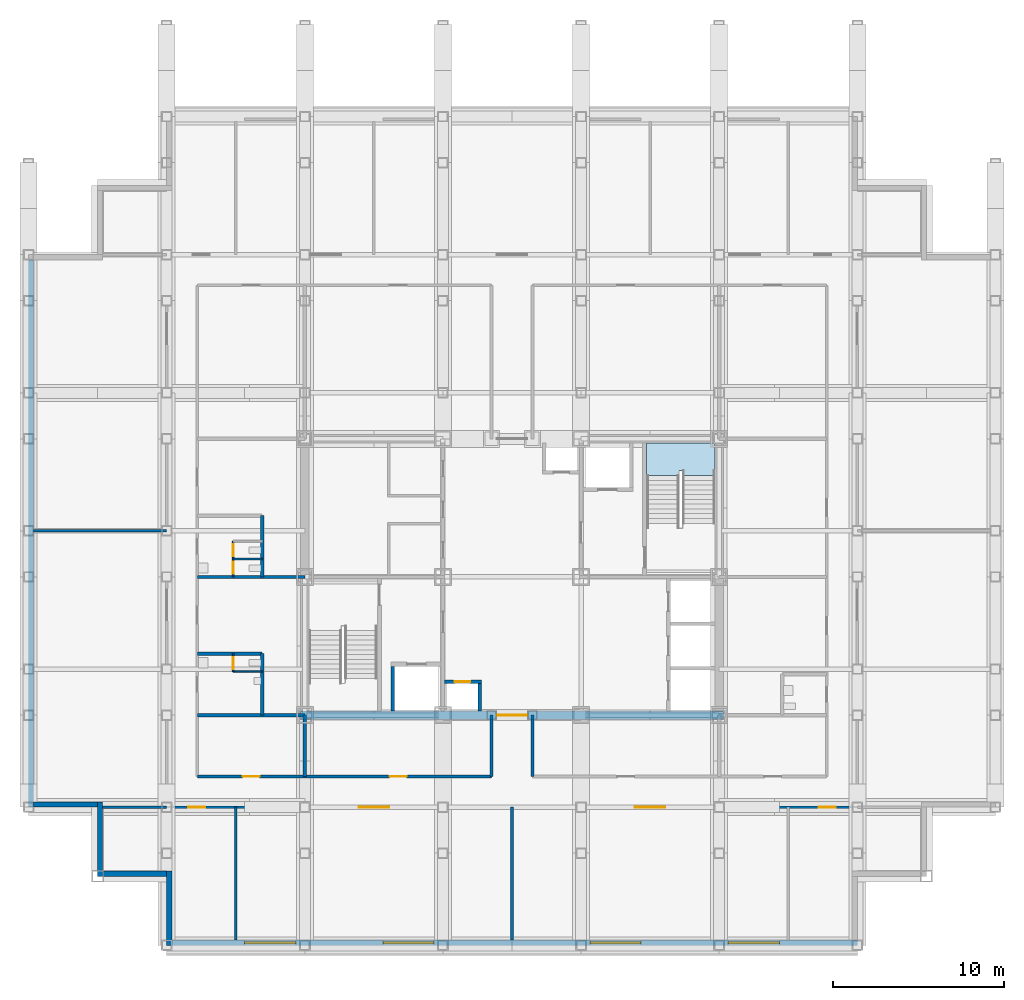
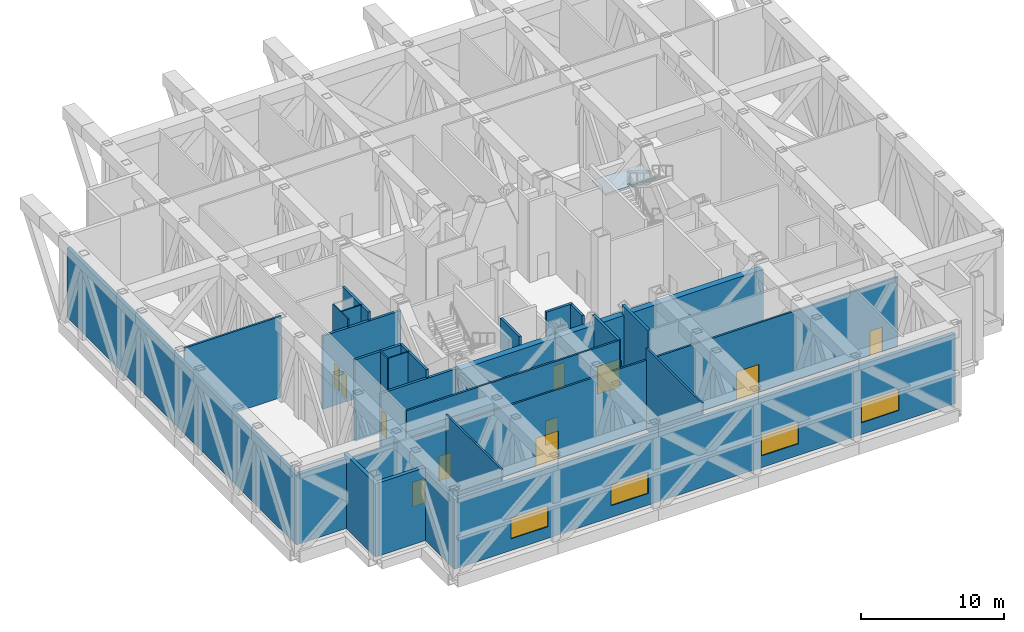
# One storey, part 7 of 13: 28 walls, 11 doors, 4 windows, 1 slab, 15 openings, 1 element without a shape of its own.
"""IFC4 building model written with IfcOpenShell, lengths in metres."""

import ifcopenshell
import ifcopenshell.guid

model = None  # the IFC model being written
_history = None  # IfcOwnerHistory: only IFC2X3 demands one
_inside = {}  # id of a spatial element -> (the spatial element, [elements in it])
_under = {}  # id of a project, library or spatial element -> (it, [spatial elements below it])
_declared = {}  # id of a project -> (the project, [libraries it declares])
_typed = {}  # id of a type object -> (the type object, [elements of that type])
_made_of = {}  # id of a material, layer set ... -> (it, [elements and type objects made of it])


def new_model(schema):
    """Start an empty IFC model of exactly this schema.

    Asked for "IFC4X3", IfcOpenShell would pick the latest addendum, in which some entities
    have other attributes; the version numbers below select the first issue.
    IFC2X3 requires an IfcOwnerHistory on every rooted entity: one is made here for all.
    """
    global model, _history
    if schema == "IFC4X3":
        model = ifcopenshell.file(schema_version=(4, 3, 0, 0))
    else:
        model = ifcopenshell.file(schema=schema)
    _inside.clear()
    _under.clear()
    _declared.clear()
    _typed.clear()
    _made_of.clear()
    _history = None
    if model.schema == "IFC2X3":
        org = make("IfcOrganization", Name="unknown")
        user = make(
            "IfcPersonAndOrganization",
            ThePerson=make("IfcPerson", FamilyName="unknown"),
            TheOrganization=org,
        )
        app = make(
            "IfcApplication",
            ApplicationDeveloper=org,
            Version="unknown",
            ApplicationFullName="unknown",
            ApplicationIdentifier="unknown",
        )
        _history = make(
            "IfcOwnerHistory",
            OwningUser=user,
            OwningApplication=app,
            ChangeAction="ADDED",
            CreationDate=0,
        )
    return model


def make(cls, **values):
    """One entity of the class cls with the attributes given. An attribute that is None is left unset."""
    return model.create_entity(
        cls, **{name: value for name, value in values.items() if value is not None}
    )


def rooted(cls, **values):
    """An entity with a GlobalId (a new one), such as an element, a storey or a relation."""
    return make(cls, GlobalId=ifcopenshell.guid.new(), OwnerHistory=_history, **values)


def si_unit(unit_type, name, prefix=None):
    """IfcSIUnit, for example si_unit("LENGTHUNIT", "METRE", prefix="MILLI")."""
    return make("IfcSIUnit", UnitType=unit_type, Prefix=prefix, Name=name)


def assignment(units):
    """IfcUnitAssignment: the units of a project."""
    return None if units is None else make("IfcUnitAssignment", Units=units)


def point(xyz):
    """IfcCartesianPoint."""
    return None if xyz is None else make("IfcCartesianPoint", Coordinates=xyz)


def direction(xyz):
    """IfcDirection."""
    return None if xyz is None else make("IfcDirection", DirectionRatios=xyz)


def frame(location, z_axis=None, x_axis=None):
    """IfcAxis2Placement3D, a coordinate frame: its origin and axes. An axis left out is left unset."""
    return make(
        "IfcAxis2Placement3D",
        Location=point(location),
        Axis=direction(z_axis),
        RefDirection=direction(x_axis),
    )


def frame_2d(location, x_axis=None):
    """IfcAxis2Placement2D, a coordinate frame in the plane: its origin and x axis."""
    return make(
        "IfcAxis2Placement2D", Location=point(location), RefDirection=direction(x_axis)
    )


def origin():
    """The frame at (0, 0, 0) with its axes left unset."""
    return frame((0.0, 0.0, 0.0))


def place(relative_to, where):
    """IfcLocalPlacement: puts the frame where relative to a parent placement (None: the world)."""
    return make(
        "IfcLocalPlacement", PlacementRelTo=relative_to, RelativePlacement=where
    )


def context(
    kind, dimensions, precision=None, world=None, true_north=None, identifier=None
):
    """IfcGeometricRepresentationContext, for example the 3D "Model" context."""
    return make(
        "IfcGeometricRepresentationContext",
        ContextIdentifier=identifier,
        ContextType=kind,
        CoordinateSpaceDimension=dimensions,
        Precision=precision,
        WorldCoordinateSystem=world,
        TrueNorth=true_north,
    )


def subcontext(parent, identifier, kind, view, scale=None):
    """IfcGeometricRepresentationSubContext, for example "Body" below "Model"."""
    return make(
        "IfcGeometricRepresentationSubContext",
        ContextIdentifier=identifier,
        ContextType=kind,
        ParentContext=parent,
        TargetScale=scale,
        TargetView=view,
    )


def project(units=None, contexts=None):
    """IfcProject with its units and contexts."""
    return rooted(
        "IfcProject",
        Name="project",
        RepresentationContexts=contexts,
        UnitsInContext=assignment(units),
    )


def spatial(cls, under=None, at=None, **own):
    """A site, building, storey or space (cls), placed at a placement, below another one or the project."""
    s = rooted(cls, ObjectPlacement=at, **own)
    if under is not None:
        _under.setdefault(under.id(), (under, []))[1].append(s)
    return s


def polyline(points):
    """IfcPolyline through the points."""
    return make("IfcPolyline", Points=[point(p) for p in points])


def profile(cls, at=None, kind="AREA", **sizes):
    """A parametric profile (cls). Its sizes go by their IFC names, for example OverallWidth=200.0."""
    return make(cls, ProfileType=kind, Position=at, **sizes)


def rectangle(**sizes):
    """IfcRectangleProfileDef."""
    return profile("IfcRectangleProfileDef", **sizes)


def outline(outer, holes=None, kind="AREA"):
    """IfcArbitraryClosedProfileDef: a profile drawn as a closed curve; with holes, ...WithVoids."""
    if holes is None:
        return make("IfcArbitraryClosedProfileDef", ProfileType=kind, OuterCurve=outer)
    return make(
        "IfcArbitraryProfileDefWithVoids",
        ProfileType=kind,
        OuterCurve=outer,
        InnerCurves=holes,
    )


def extrude(swept, where, along, depth):
    """IfcExtrudedAreaSolid: the profile swept, set in the frame where, extruded along a direction by depth."""
    return make(
        "IfcExtrudedAreaSolid",
        SweptArea=swept,
        Position=where,
        ExtrudedDirection=direction(along),
        Depth=depth,
    )


def shape(context_of_items, identifier, shape_type, items):
    """IfcShapeRepresentation: the items that make up one representation, for example the "Body"."""
    return make(
        "IfcShapeRepresentation",
        ContextOfItems=context_of_items,
        RepresentationIdentifier=identifier,
        RepresentationType=shape_type,
        Items=items,
    )


def material(Name=None, Category=None):
    """IfcMaterial."""
    return make("IfcMaterial", Name=Name, Category=Category)


def layer(
    of_material, thickness, ventilated=None, Name=None, Category=None, Priority=None
):
    """IfcMaterialLayer: one layer of a wall or slab, of a material (None: an air gap)."""
    return make(
        "IfcMaterialLayer",
        Material=of_material,
        LayerThickness=thickness,
        IsVentilated=ventilated,
        Name=Name,
        Category=Category,
        Priority=Priority,
    )


def layer_set(layers, Name=None):
    """IfcMaterialLayerSet."""
    return make("IfcMaterialLayerSet", MaterialLayers=layers, LayerSetName=Name)


def made_of(thing, what):
    """Note that an element or type object is made of a material, layer set ...; save() writes the relation."""
    if what is not None:
        _made_of.setdefault(what.id(), (what, []))[1].append(thing)
    return thing


def type_object(cls, material=None, **own):
    """A type object (cls), such as IfcWallType, which elements share."""
    return made_of(rooted(cls, **own), material)


def element(
    cls,
    number,
    at=None,
    inside=None,
    cuts=None,
    type_object=None,
    material=None,
    context=None,
    identifier="Body",
    shape_type=None,
    held_by="IfcProductDefinitionShape",
    body=None,
    shapes=None,
    **own,
):
    """One element of the class cls, such as IfcWall. Its Tag is "e" and its number.

    at: its placement. inside: the storey or other place that contains it. cuts: it is an
    opening in that element (IfcRelVoidsElement). A single representation is given by context,
    identifier, shape_type and body (its items); several are given by shapes. held_by: the class
    of the entity that holds the representations. save() writes the other relations.
    """
    e = rooted(cls, Tag="e%d" % number, ObjectPlacement=at, **own)
    if body is not None:
        shapes = [shape(context, identifier, shape_type, body)]
    if shapes is not None:
        e.Representation = make(held_by, Representations=shapes)
    if inside is not None:
        _inside.setdefault(inside.id(), (inside, []))[1].append(e)
    if cuts is not None:
        rooted(
            "IfcRelVoidsElement", RelatingBuildingElement=cuts, RelatedOpeningElement=e
        )
    if type_object is not None:
        _typed.setdefault(type_object.id(), (type_object, []))[1].append(e)
    return made_of(e, material)


def fill(opening, filler):
    """IfcRelFillsElement: the door or window that sits in an opening."""
    return rooted(
        "IfcRelFillsElement",
        RelatingOpeningElement=opening,
        RelatedBuildingElement=filler,
    )


def aggregate(whole, parts):
    """IfcRelAggregates: a whole, such as a stair, and the parts it consists of."""
    return rooted("IfcRelAggregates", RelatingObject=whole, RelatedObjects=parts)


def save(model, path):
    """Write the relations noted so far, then the file.

    IfcRelAggregates (storeys below a building ...), IfcRelContainedInSpatialStructure (elements
    in a storey), IfcRelDefinesByType, IfcRelAssociatesMaterial and IfcRelDeclares: one each for
    every whole, place, type object, material and project.
    """
    for whole, parts in _under.values():
        aggregate(whole, parts)
    for where, things in _inside.values():
        rooted(
            "IfcRelContainedInSpatialStructure",
            RelatedElements=things,
            RelatingStructure=where,
        )
    for kind, things in _typed.values():
        rooted("IfcRelDefinesByType", RelatedObjects=things, RelatingType=kind)
    for what, things in _made_of.values():
        rooted("IfcRelAssociatesMaterial", RelatedObjects=things, RelatingMaterial=what)
    for by, libraries in _declared.values():
        rooted("IfcRelDeclares", RelatingContext=by, RelatedDefinitions=libraries)
    model.write(path)


model = new_model("IFC4")

# Units and contexts
model_context = context("Model", 3, precision=1e-05, world=origin(), true_north=direction((0.0, 1.0)))
body_context = subcontext(model_context, "Body", "Model", "MODEL_VIEW")
ifc_project = project(units=[si_unit("LENGTHUNIT", "METRE"), si_unit("AREAUNIT", "SQUARE_METRE"), si_unit("VOLUMEUNIT", "CUBIC_METRE"), si_unit("PLANEANGLEUNIT", "RADIAN"), si_unit("MASSUNIT", "GRAM", prefix="KILO")], contexts=[model_context])

# Site, building, storey
site_placement = place(None, origin())
site = spatial("IfcSite", under=ifc_project, at=site_placement, CompositionType="ELEMENT")
building_placement = place(site_placement, origin())
building = spatial("IfcBuilding", under=site, at=building_placement, Name="Kopane Lantern Tower", CompositionType="ELEMENT")
storey_placement = place(building_placement, frame((0.0, 0.0, 235.199951171875)))
storey = spatial("IfcBuildingStorey", under=building, at=storey_placement, Name="L61", CompositionType="ELEMENT", Elevation=235.199951171875)

# Stair, slab
ifc_material_1 = material(Name="Steel S355JR", Category="steel")
stair_type = type_object("IfcStairType", Name="EXIT STAIR 1900 HALF TURN", PredefinedType="HALF_TURN_STAIR", material=ifc_material_1)
stair_placement = place(storey_placement, origin())
stair = element("IfcStair", 1, at=stair_placement, inside=storey, type_object=stair_type, Name="Exit stair ST2 L61", PredefinedType="HALF_TURN_STAIR")
ifc_material_2 = material(Name="Concrete C40/50", Category="concrete")
ifc_layer_1 = layer(ifc_material_2, 0.199951171875)
ifc_layer_set_1 = layer_set([ifc_layer_1], Name="STAIR LANDING 200")
slab_type = type_object("IfcSlabType", Name="STAIR LANDING 200", PredefinedType="LANDING", material=ifc_layer_set_1)
slab_placement = place(storey_placement, frame((0.0, 0.0, 5.32568359375)))
slab = element("IfcSlab", 2, at=slab_placement, type_object=slab_type, Name="ST2 landing 4", PredefinedType="LANDING", context=body_context, shape_type="SweptSolid", body=[
    extrude(outline(polyline([(38.14990234375, 38.6298828125), (38.35009765625, 38.6298828125), (38.35009765625, 38.35009765625), (40.25, 38.35009765625), (40.25, 40.25), (36.25, 40.25), (36.25, 38.35009765625), (38.14990234375, 38.35009765625), (38.14990234375, 38.6298828125)])), origin(), (0.0, 0.0, 1.0), 0.199951171875),
])
aggregate(stair, [slab])

# Wall, opening, door
ifc_material_3 = material(Name="Moisture-resistant board on steel studs", Category="steel")
ifc_layer_2 = layer(ifc_material_3, 0.10009765625)
ifc_layer_set_2 = layer_set([ifc_layer_2], Name="BATHROOM WALL 100")
wall_type_1 = type_object("IfcWallType", Name="BATHROOM WALL 100", PredefinedType="PARTITIONING", material=ifc_layer_set_2)
wall_1_placement = place(storey_placement, frame((12.0, 26.85009765625, 0.0), z_axis=(0.0, 0.0, 1.0), x_axis=(0.0, 1.0, 0.0)))
wall_1 = element("IfcWall", 3, at=wall_1_placement, inside=storey, type_object=wall_type_1, Name="Bathroom Wall 100 L61", PredefinedType="PARTITIONING", context=body_context, shape_type="SweptSolid", body=[
    extrude(rectangle(XDim=1.0498046875, YDim=0.10009765625, at=frame_2d((0.52490234375, 0.0))), origin(), (0.0, 0.0, 1.0), 6.949951171875),
])
opening_1_placement = place(wall_1_placement, frame((0.14990234375, 0.0, 0.0)))
opening_1 = element("IfcOpeningElement", 4, at=opening_1_placement, cuts=wall_1, Name="Opening L61-029", PredefinedType="OPENING", context=body_context, shape_type="SweptSolid", body=[
    extrude(rectangle(XDim=0.699951171875, YDim=2.0, at=frame_2d((0.35009765625, 1.0))), frame((0.0, 0.06005859375, 0.0), z_axis=(0.0, -1.0, 0.0), x_axis=(1.0, 0.0, 0.0)), (0.0, 0.0, 1.0), 0.1201171875),
])
ifc_material_4 = material(Name="Timber door set", Category="wood")
door_type_1 = type_object("IfcDoorType", Name="DOOR D13 700x2000 WC CUBICLE", OperationType="SINGLE_SWING_LEFT", PredefinedType="DOOR", material=ifc_material_4)
door_1_placement = place(opening_1_placement, origin())
door_1 = element("IfcDoor", 5, at=door_1_placement, inside=storey, type_object=door_type_1, Name="Door L61-029", OperationType="SINGLE_SWING_LEFT", OverallHeight=2.0, OverallWidth=0.699951171875, PredefinedType="DOOR", context=body_context, shape_type="SweptSolid", body=[
    extrude(rectangle(XDim=0.699951171875, YDim=2.0, at=frame_2d((0.35009765625, 1.0))), frame((0.0, 0.02490234375, 0.0), z_axis=(0.0, -1.0, 0.0), x_axis=(1.0, 0.0, 0.0)), (0.0, 0.0, 1.0), 0.050048828125),
])
fill(opening_1, door_1)

# Wall
wall_2_placement = place(storey_placement, frame((12.0, 26.85009765625, 0.0), z_axis=(0.0, 0.0, 1.0), x_axis=(1.0, 0.0, 0.0)))
element("IfcWall", 6, at=wall_2_placement, inside=storey, type_object=wall_type_1, Name="Bathroom Wall 100 L61", PredefinedType="PARTITIONING", context=body_context, shape_type="SweptSolid", body=[
    extrude(rectangle(XDim=1.699951171875, YDim=0.10009765625, at=frame_2d((0.85009765625, 0.0))), origin(), (0.0, 0.0, 1.0), 6.949951171875),
])

# Wall, openings, doors
wall_3_placement = place(storey_placement, frame((12.0, 32.39990234375, 0.0), z_axis=(0.0, 0.0, 1.0), x_axis=(0.0, 1.0, 0.0)))
wall_3 = element("IfcWall", 7, at=wall_3_placement, inside=storey, type_object=wall_type_1, Name="Bathroom Wall 100 L61", PredefinedType="PARTITIONING", context=body_context, shape_type="SweptSolid", body=[
    extrude(rectangle(XDim=2.10009765625, YDim=0.10009765625, at=frame_2d((1.050048828125, 0.0))), origin(), (0.0, 0.0, 1.0), 6.949951171875),
])
opening_2_placement = place(wall_3_placement, frame((0.199951171875, 0.0, 0.0)))
opening_2 = element("IfcOpeningElement", 8, at=opening_2_placement, cuts=wall_3, Name="Opening L61-030", PredefinedType="OPENING", context=body_context, shape_type="SweptSolid", body=[
    extrude(rectangle(XDim=0.699951171875, YDim=2.0, at=frame_2d((0.35009765625, 1.0))), frame((0.0, 0.06005859375, 0.0), z_axis=(0.0, -1.0, 0.0), x_axis=(1.0, 0.0, 0.0)), (0.0, 0.0, 1.0), 0.1201171875),
])
opening_3_placement = place(wall_3_placement, frame((1.22509765625, 0.0, 0.0)))
opening_3 = element("IfcOpeningElement", 9, at=opening_3_placement, cuts=wall_3, Name="Opening L61-031", PredefinedType="OPENING", context=body_context, shape_type="SweptSolid", body=[
    extrude(rectangle(XDim=0.699951171875, YDim=2.0, at=frame_2d((0.35009765625, 1.0))), frame((0.0, 0.06005859375, 0.0), z_axis=(0.0, -1.0, 0.0), x_axis=(1.0, 0.0, 0.0)), (0.0, 0.0, 1.0), 0.1201171875),
])
door_2_placement = place(opening_2_placement, origin())
door_2 = element("IfcDoor", 10, at=door_2_placement, inside=storey, type_object=door_type_1, Name="Door L61-030", OperationType="SINGLE_SWING_LEFT", OverallHeight=2.0, OverallWidth=0.699951171875, PredefinedType="DOOR", context=body_context, shape_type="SweptSolid", body=[
    extrude(rectangle(XDim=0.699951171875, YDim=2.0, at=frame_2d((0.35009765625, 1.0))), frame((0.0, 0.02490234375, 0.0), z_axis=(0.0, -1.0, 0.0), x_axis=(1.0, 0.0, 0.0)), (0.0, 0.0, 1.0), 0.050048828125),
])
fill(opening_2, door_2)
door_3_placement = place(opening_3_placement, origin())
door_3 = element("IfcDoor", 11, at=door_3_placement, inside=storey, type_object=door_type_1, Name="Door L61-031", OperationType="SINGLE_SWING_RIGHT", OverallHeight=2.0, OverallWidth=0.699951171875, PredefinedType="DOOR", context=body_context, shape_type="SweptSolid", body=[
    extrude(rectangle(XDim=0.699951171875, YDim=2.0, at=frame_2d((0.35009765625, 1.0))), frame((0.0, 0.02490234375, 0.0), z_axis=(0.0, -1.0, 0.0), x_axis=(1.0, 0.0, 0.0)), (0.0, 0.0, 1.0), 0.050048828125),
])
fill(opening_3, door_3)

# Wall
wall_4_placement = place(storey_placement, frame((12.0, 33.449951171875, 0.0), z_axis=(0.0, 0.0, 1.0), x_axis=(1.0, 0.0, 0.0)))
element("IfcWall", 12, at=wall_4_placement, inside=storey, type_object=wall_type_1, Name="Bathroom Wall 100 L61", PredefinedType="PARTITIONING", context=body_context, shape_type="SweptSolid", body=[
    extrude(rectangle(XDim=1.699951171875, YDim=0.10009765625, at=frame_2d((0.85009765625, 0.0))), origin(), (0.0, 0.0, 1.0), 6.949951171875),
])

# Wall, opening, door
ifc_material_5 = material(Name="Gypsum shaft wall EI 120", Category="gypsum")
ifc_layer_3 = layer(ifc_material_5, 0.5)
ifc_layer_set_3 = layer_set([ifc_layer_3], Name="CORE PERIMETER WALL 500 EI 120")
wall_type_2 = type_object("IfcWallType", Name="CORE PERIMETER WALL 500 EI 120", PredefinedType="SOLIDWALL", material=ifc_layer_set_3)
wall_5_placement = place(storey_placement, frame((15.949951171875, 24.300048828125, 0.0), z_axis=(0.0, 0.0, 1.0), x_axis=(1.0, 0.0, 0.0)))
wall_5 = element("IfcWall", 13, at=wall_5_placement, inside=storey, type_object=wall_type_2, Name="Core shaft wall L61 PS", PredefinedType="SOLIDWALL", context=body_context, shape_type="SweptSolid", body=[
    extrude(rectangle(XDim=24.800048828125, YDim=0.5, at=frame_2d((12.39990234375, 0.0))), origin(), (0.0, 0.0, 1.0), 6.187744140625),
])
opening_4_placement = place(wall_5_placement, frame((11.5, 0.0, 0.0)))
opening_4 = element("IfcOpeningElement", 14, at=opening_4_placement, cuts=wall_5, Name="Opening 61.CE-S", PredefinedType="OPENING", context=body_context, shape_type="SweptSolid", body=[
    extrude(rectangle(XDim=1.800048828125, YDim=2.39990234375, at=frame_2d((0.89990234375, 1.199951171875))), frame((0.0, 0.260009765625, 0.0), z_axis=(0.0, -1.0, 0.0), x_axis=(1.0, 0.0, 0.0)), (0.0, 0.0, 1.0), 0.52001953125),
])
ifc_material_6 = material(Name="Steel door set", Category="steel")
door_type_2 = type_object("IfcDoorType", Name="CORE ENTRY DOOR 1800x2400 FD60S", OperationType="DOUBLE_DOOR_SINGLE_SWING", PredefinedType="DOOR", material=ifc_material_6)
door_4_placement = place(opening_4_placement, origin())
door_4 = element("IfcDoor", 15, at=door_4_placement, inside=storey, type_object=door_type_2, Name="Core entry door L61 south", OperationType="DOUBLE_DOOR_SINGLE_SWING", OverallHeight=2.39990234375, OverallWidth=1.800048828125, PredefinedType="DOOR", context=body_context, shape_type="SweptSolid", body=[
    extrude(rectangle(XDim=1.800048828125, YDim=2.39990234375, at=frame_2d((0.89990234375, 1.199951171875))), frame((0.0, 0.02490234375, 0.0), z_axis=(0.0, -1.0, 0.0), x_axis=(1.0, 0.0, 0.0)), (0.0, 0.0, 1.0), 0.050048828125),
])
fill(opening_4, door_4)

# Wall, openings, doors
ifc_material_7 = material(Name="Gypsum board on steel studs", Category="steel")
ifc_layer_4 = layer(ifc_material_7, 0.14990234375)
ifc_layer_set_4 = layer_set([ifc_layer_4], Name="CORRIDOR WALL 150 EI 60")
wall_type_3 = type_object("IfcWallType", Name="CORRIDOR WALL 150 EI 60", PredefinedType="PARTITIONING", material=ifc_layer_set_4)
wall_6_placement = place(storey_placement, frame((8.10009765625, 18.89990234375, 0.0), z_axis=(0.0, 0.0, 1.0), x_axis=(1.0, 0.0, 0.0)))
wall_6 = element("IfcWall", 16, at=wall_6_placement, inside=storey, type_object=wall_type_3, Name="Corridor Wall 150 Ei 60 L61", PredefinedType="PARTITIONING", context=body_context, shape_type="SweptSolid", body=[
    extrude(rectangle(XDim=40.5, YDim=0.14990234375, at=frame_2d((20.25, 0.0))), origin(), (0.0, 0.0, 1.0), 5.949951171875),
])
opening_5_placement = place(wall_6_placement, frame((11.25, 0.0, 0.0)))
opening_5 = element("IfcOpeningElement", 17, at=opening_5_placement, cuts=wall_6, Name="Opening L61-016", PredefinedType="OPENING", context=body_context, shape_type="SweptSolid", body=[
    extrude(rectangle(XDim=1.800048828125, YDim=2.39990234375, at=frame_2d((0.89990234375, 1.199951171875))), frame((0.0, 0.0849609375, 0.0), z_axis=(0.0, -1.0, 0.0), x_axis=(1.0, 0.0, 0.0)), (0.0, 0.0, 1.0), 0.169921875),
])
opening_6_placement = place(wall_6_placement, frame((27.449951171875, 0.0, 0.0)))
opening_6 = element("IfcOpeningElement", 18, at=opening_6_placement, cuts=wall_6, Name="Opening L61-017", PredefinedType="OPENING", context=body_context, shape_type="SweptSolid", body=[
    extrude(rectangle(XDim=1.800048828125, YDim=2.39990234375, at=frame_2d((0.89990234375, 1.199951171875))), frame((0.0, 0.0849609375, 0.0), z_axis=(0.0, -1.0, 0.0), x_axis=(1.0, 0.0, 0.0)), (0.0, 0.0, 1.0), 0.169921875),
])
opening_7_placement = place(wall_6_placement, frame((1.27490234375, 0.0, 0.0)))
opening_7 = element("IfcOpeningElement", 19, at=opening_7_placement, cuts=wall_6, Name="Opening L61-025", PredefinedType="OPENING", context=body_context, shape_type="SweptSolid", body=[
    extrude(rectangle(XDim=1.0, YDim=2.10009765625, at=frame_2d((0.5, 1.050048828125))), frame((0.0, 0.0849609375, 0.0), z_axis=(0.0, -1.0, 0.0), x_axis=(1.0, 0.0, 0.0)), (0.0, 0.0, 1.0), 0.169921875),
])
opening_8_placement = place(wall_6_placement, frame((38.22509765625, 0.0, 0.0)))
opening_8 = element("IfcOpeningElement", 20, at=opening_8_placement, cuts=wall_6, Name="Opening L61-026", PredefinedType="OPENING", context=body_context, shape_type="SweptSolid", body=[
    extrude(rectangle(XDim=1.0, YDim=2.10009765625, at=frame_2d((0.5, 1.050048828125))), frame((0.0, 0.0849609375, 0.0), z_axis=(0.0, -1.0, 0.0), x_axis=(1.0, 0.0, 0.0)), (0.0, 0.0, 1.0), 0.169921875),
])
ifc_material_8 = material(Name="Steel door set", Category="steel")
door_type_3 = type_object("IfcDoorType", Name="DOOR D5 1000x2100 FD60", OperationType="SINGLE_SWING_LEFT", PredefinedType="DOOR", material=ifc_material_8)
door_5_placement = place(opening_7_placement, origin())
door_5 = element("IfcDoor", 21, at=door_5_placement, inside=storey, type_object=door_type_3, Name="Door L61-025", OperationType="SINGLE_SWING_LEFT", OverallHeight=2.10009765625, OverallWidth=1.0, PredefinedType="DOOR", context=body_context, shape_type="SweptSolid", body=[
    extrude(rectangle(XDim=1.0, YDim=2.10009765625, at=frame_2d((0.5, 1.050048828125))), frame((0.0, 0.02490234375, 0.0), z_axis=(0.0, -1.0, 0.0), x_axis=(1.0, 0.0, 0.0)), (0.0, 0.0, 1.0), 0.050048828125),
])
fill(opening_7, door_5)
door_6_placement = place(opening_8_placement, origin())
door_6 = element("IfcDoor", 22, at=door_6_placement, inside=storey, type_object=door_type_3, Name="Door L61-026", OperationType="SINGLE_SWING_RIGHT", OverallHeight=2.10009765625, OverallWidth=1.0, PredefinedType="DOOR", context=body_context, shape_type="SweptSolid", body=[
    extrude(rectangle(XDim=1.0, YDim=2.10009765625, at=frame_2d((0.5, 1.050048828125))), frame((0.0, 0.02490234375, 0.0), z_axis=(0.0, -1.0, 0.0), x_axis=(1.0, 0.0, 0.0)), (0.0, 0.0, 1.0), 0.050048828125),
])
fill(opening_8, door_6)
ifc_material_9 = material(Name="Steel door set", Category="steel")
door_type_4 = type_object("IfcDoorType", Name="DOOR D6 1800x2400 FD30S", OperationType="SINGLE_SWING_LEFT", PredefinedType="DOOR", material=ifc_material_9)
door_7_placement = place(opening_5_placement, origin())
door_7 = element("IfcDoor", 23, at=door_7_placement, inside=storey, type_object=door_type_4, Name="Door L61-016", OperationType="DOUBLE_DOOR_SINGLE_SWING", OverallHeight=2.39990234375, OverallWidth=1.800048828125, PredefinedType="DOOR", context=body_context, shape_type="SweptSolid", body=[
    extrude(rectangle(XDim=1.800048828125, YDim=2.39990234375, at=frame_2d((0.89990234375, 1.199951171875))), frame((0.0, 0.02490234375, 0.0), z_axis=(0.0, -1.0, 0.0), x_axis=(1.0, 0.0, 0.0)), (0.0, 0.0, 1.0), 0.050048828125),
])
fill(opening_5, door_7)
ifc_material_10 = material(Name="Steel door set", Category="steel")
door_type_5 = type_object("IfcDoorType", Name="DOOR D8 1800x2400 FD120", OperationType="SINGLE_SWING_LEFT", PredefinedType="DOOR", material=ifc_material_10)
door_8_placement = place(opening_6_placement, origin())
door_8 = element("IfcDoor", 24, at=door_8_placement, inside=storey, type_object=door_type_5, Name="Door L61-017", OperationType="DOUBLE_DOOR_SINGLE_SWING", OverallHeight=2.39990234375, OverallWidth=1.800048828125, PredefinedType="DOOR", context=body_context, shape_type="SweptSolid", body=[
    extrude(rectangle(XDim=1.800048828125, YDim=2.39990234375, at=frame_2d((0.89990234375, 1.199951171875))), frame((0.0, 0.02490234375, 0.0), z_axis=(0.0, -1.0, 0.0), x_axis=(1.0, 0.0, 0.0)), (0.0, 0.0, 1.0), 0.050048828125),
])
fill(opening_6, door_8)

wall_7_placement = place(storey_placement, frame((9.89990234375, 20.699951171875, 0.0), z_axis=(0.0, 0.0, 1.0), x_axis=(1.0, 0.0, 0.0)))
wall_7 = element("IfcWall", 25, at=wall_7_placement, inside=storey, type_object=wall_type_3, Name="Corridor Wall 150 Ei 60 L61", PredefinedType="PARTITIONING", context=body_context, shape_type="SweptSolid", body=[
    extrude(rectangle(XDim=17.239990234375, YDim=0.14990234375, at=frame_2d((8.6201171875, 0.0))), origin(), (0.0, 0.0, 1.0), 6.949951171875),
])
opening_9_placement = place(wall_7_placement, frame((2.64990234375, 0.0, 0.0)))
opening_9 = element("IfcOpeningElement", 26, at=opening_9_placement, cuts=wall_7, Name="Opening L61-008", PredefinedType="OPENING", context=body_context, shape_type="SweptSolid", body=[
    extrude(rectangle(XDim=1.0, YDim=2.10009765625, at=frame_2d((0.5, 1.050048828125))), frame((0.0, 0.0849609375, 0.0), z_axis=(0.0, -1.0, 0.0), x_axis=(1.0, 0.0, 0.0)), (0.0, 0.0, 1.0), 0.169921875),
])
opening_10_placement = place(wall_7_placement, frame((11.27490234375, 0.0, 0.0)))
opening_10 = element("IfcOpeningElement", 27, at=opening_10_placement, cuts=wall_7, Name="Opening L61-009", PredefinedType="OPENING", context=body_context, shape_type="SweptSolid", body=[
    extrude(rectangle(XDim=1.0, YDim=2.10009765625, at=frame_2d((0.5, 1.050048828125))), frame((0.0, 0.0849609375, 0.0), z_axis=(0.0, -1.0, 0.0), x_axis=(1.0, 0.0, 0.0)), (0.0, 0.0, 1.0), 0.169921875),
])
door_9_placement = place(opening_9_placement, origin())
door_9 = element("IfcDoor", 28, at=door_9_placement, inside=storey, type_object=door_type_3, Name="Door L61-008", OperationType="SINGLE_SWING_LEFT", OverallHeight=2.10009765625, OverallWidth=1.0, PredefinedType="DOOR", context=body_context, shape_type="SweptSolid", body=[
    extrude(rectangle(XDim=1.0, YDim=2.10009765625, at=frame_2d((0.5, 1.050048828125))), frame((0.0, 0.02490234375, 0.0), z_axis=(0.0, -1.0, 0.0), x_axis=(1.0, 0.0, 0.0)), (0.0, 0.0, 1.0), 0.050048828125),
])
fill(opening_9, door_9)
door_10_placement = place(opening_10_placement, origin())
door_10 = element("IfcDoor", 29, at=door_10_placement, inside=storey, type_object=door_type_3, Name="Door L61-009", OperationType="SINGLE_SWING_RIGHT", OverallHeight=2.10009765625, OverallWidth=1.0, PredefinedType="DOOR", context=body_context, shape_type="SweptSolid", body=[
    extrude(rectangle(XDim=1.0, YDim=2.10009765625, at=frame_2d((0.5, 1.050048828125))), frame((0.0, 0.02490234375, 0.0), z_axis=(0.0, -1.0, 0.0), x_axis=(1.0, 0.0, 0.0)), (0.0, 0.0, 1.0), 0.050048828125),
])
fill(opening_10, door_10)

# Walls
ifc_material_11 = material(Name="Gypsum board on steel studs", Category="steel")
ifc_layer_5 = layer(ifc_material_11, 0.14990234375)
ifc_layer_set_5 = layer_set([ifc_layer_5], Name="DEMISING WALL 150 EI 60")
wall_type_4 = type_object("IfcWallType", Name="DEMISING WALL 150 EI 60", PredefinedType="PARTITIONING", material=ifc_layer_set_5)
wall_8_placement = place(storey_placement, frame((28.35009765625, 18.89990234375, 0.0), z_axis=(0.0, 0.0, 1.0), x_axis=(0.0, -1.0, 0.0)))
element("IfcWall", 30, at=wall_8_placement, inside=storey, type_object=wall_type_4, Name="Demising Wall 150 Ei 60 L61", PredefinedType="PARTITIONING", context=body_context, shape_type="SweptSolid", body=[
    extrude(rectangle(XDim=7.7998046875, YDim=0.14990234375, at=frame_2d((3.89990234375, 0.0))), origin(), (0.0, 0.0, 1.0), 6.949951171875),
])
wall_9_placement = place(storey_placement, frame((8.10009765625, 35.10009765625, 0.0), z_axis=(0.0, 0.0, 1.0), x_axis=(-1.0, 0.0, 0.0)))
element("IfcWall", 31, at=wall_9_placement, inside=storey, type_object=wall_type_4, Name="Demising Wall 150 Ei 60 L61", PredefinedType="PARTITIONING", context=body_context, shape_type="SweptSolid", body=[
    extrude(rectangle(XDim=7.800048828125, YDim=0.14990234375, at=frame_2d((3.89990234375, 0.0))), origin(), (0.0, 0.0, 1.0), 6.949951171875),
])
wall_10_placement = place(storey_placement, frame((4.35009765625, 18.89990234375, 0.0), z_axis=(0.0, 0.0, 1.0), x_axis=(1.0, 0.0, 0.0)))
element("IfcWall", 32, at=wall_10_placement, inside=storey, type_object=wall_type_4, Name="Demising Wall 150 Ei 60 L61", PredefinedType="PARTITIONING", context=body_context, shape_type="SweptSolid", body=[
    extrude(rectangle(XDim=3.75, YDim=0.14990234375, at=frame_2d((1.875, 0.0))), origin(), (0.0, 0.0, 1.0), 5.949951171875),
])
wall_11_placement = place(storey_placement, frame((12.14990234375, 18.89990234375, 0.0), z_axis=(0.0, 0.0, 1.0), x_axis=(0.0, -1.0, 0.0)))
element("IfcWall", 33, at=wall_11_placement, inside=storey, type_object=wall_type_4, Name="Demising Wall 150 Ei 60 L61", PredefinedType="PARTITIONING", context=body_context, shape_type="SweptSolid", body=[
    extrude(rectangle(XDim=7.7998046875, YDim=0.14990234375, at=frame_2d((3.89990234375, 0.0))), origin(), (0.0, 0.0, 1.0), 6.949951171875),
])

# Wall, openings, windows
ifc_material_12 = material(Name="Terracotta rainscreen on light steel framing", Category="masonry")
ifc_layer_6 = layer(ifc_material_12, 0.300048828125)
ifc_layer_set_6 = layer_set([ifc_layer_6], Name="EXTERNAL WALL EW1 300 TERRACOTTA")
wall_type_5 = type_object("IfcWallType", Name="EXTERNAL WALL EW1 300 TERRACOTTA", PredefinedType="SOLIDWALL", material=ifc_layer_set_6)
wall_12_placement = place(storey_placement, frame((8.39990234375, 10.949951171875, 0.0), z_axis=(0.0, 0.0, 1.0), x_axis=(1.0, 0.0, 0.0)))
wall_12 = element("IfcWall", 34, at=wall_12_placement, inside=storey, type_object=wall_type_5, Name="External wall S L61", PredefinedType="SOLIDWALL", context=body_context, shape_type="SweptSolid", body=[
    extrude(rectangle(XDim=40.2001953125, YDim=0.300048828125, at=frame_2d((20.10009765625, 0.0))), origin(), (0.0, 0.0, 1.0), 5.949951171875),
])
opening_11_placement = place(wall_12_placement, frame((4.27490234375, 0.0, 1.0)))
opening_11 = element("IfcOpeningElement", 35, at=opening_11_placement, cuts=wall_12, Name="Opening LV300180", PredefinedType="OPENING", context=body_context, shape_type="SweptSolid", body=[
    extrude(rectangle(XDim=3.0, YDim=1.800048828125, at=frame_2d((1.5, 0.89990234375))), frame((0.0, 0.159912109375, 0.0), z_axis=(0.0, -1.0, 0.0), x_axis=(1.0, 0.0, 0.0)), (0.0, 0.0, 1.0), 0.320068359375),
])
opening_12_placement = place(wall_12_placement, frame((12.375, 0.0, 1.0)))
opening_12 = element("IfcOpeningElement", 36, at=opening_12_placement, cuts=wall_12, Name="Opening LV300180", PredefinedType="OPENING", context=body_context, shape_type="SweptSolid", body=[
    extrude(rectangle(XDim=3.0, YDim=1.800048828125, at=frame_2d((1.5, 0.89990234375))), frame((0.0, 0.159912109375, 0.0), z_axis=(0.0, -1.0, 0.0), x_axis=(1.0, 0.0, 0.0)), (0.0, 0.0, 1.0), 0.320068359375),
])
opening_13_placement = place(wall_12_placement, frame((24.52490234375, 0.0, 1.0)))
opening_13 = element("IfcOpeningElement", 37, at=opening_13_placement, cuts=wall_12, Name="Opening LV300180", PredefinedType="OPENING", context=body_context, shape_type="SweptSolid", body=[
    extrude(rectangle(XDim=3.0, YDim=1.800048828125, at=frame_2d((1.5, 0.89990234375))), frame((0.0, 0.159912109375, 0.0), z_axis=(0.0, -1.0, 0.0), x_axis=(1.0, 0.0, 0.0)), (0.0, 0.0, 1.0), 0.320068359375),
])
opening_14_placement = place(wall_12_placement, frame((32.625, 0.0, 1.0)))
opening_14 = element("IfcOpeningElement", 38, at=opening_14_placement, cuts=wall_12, Name="Opening LV300180", PredefinedType="OPENING", context=body_context, shape_type="SweptSolid", body=[
    extrude(rectangle(XDim=3.0, YDim=1.800048828125, at=frame_2d((1.5, 0.89990234375))), frame((0.0, 0.159912109375, 0.0), z_axis=(0.0, -1.0, 0.0), x_axis=(1.0, 0.0, 0.0)), (0.0, 0.0, 1.0), 0.320068359375),
])
ifc_material_13 = material(Name="Aluminium louvre blades", Category="aluminium")
window_type = type_object("IfcWindowType", Name="PLANT LOUVRE LV300180 3000x1800x150", PartitioningType="SINGLE_PANEL", PredefinedType="USERDEFINED", material=ifc_material_13)
window_1_placement = place(opening_11_placement, origin())
window_1 = element("IfcWindow", 39, at=window_1_placement, inside=storey, type_object=window_type, Name="Louvre S L61", ObjectType="LOUVRE", OverallHeight=1.800048828125, OverallWidth=3.0, PartitioningType="SINGLE_PANEL", PredefinedType="USERDEFINED", context=body_context, shape_type="SweptSolid", body=[
    extrude(rectangle(XDim=3.0, YDim=1.800048828125, at=frame_2d((1.5, 0.89990234375))), frame((0.0, 0.074951171875, 0.0), z_axis=(0.0, -1.0, 0.0), x_axis=(1.0, 0.0, 0.0)), (0.0, 0.0, 1.0), 0.14990234375),
])
fill(opening_11, window_1)
window_2_placement = place(opening_12_placement, origin())
window_2 = element("IfcWindow", 40, at=window_2_placement, inside=storey, type_object=window_type, Name="Louvre S L61", ObjectType="LOUVRE", OverallHeight=1.800048828125, OverallWidth=3.0, PartitioningType="SINGLE_PANEL", PredefinedType="USERDEFINED", context=body_context, shape_type="SweptSolid", body=[
    extrude(rectangle(XDim=3.0, YDim=1.800048828125, at=frame_2d((1.5, 0.89990234375))), frame((0.0, 0.074951171875, 0.0), z_axis=(0.0, -1.0, 0.0), x_axis=(1.0, 0.0, 0.0)), (0.0, 0.0, 1.0), 0.14990234375),
])
fill(opening_12, window_2)
window_3_placement = place(opening_13_placement, origin())
window_3 = element("IfcWindow", 41, at=window_3_placement, inside=storey, type_object=window_type, Name="Louvre S L61", ObjectType="LOUVRE", OverallHeight=1.800048828125, OverallWidth=3.0, PartitioningType="SINGLE_PANEL", PredefinedType="USERDEFINED", context=body_context, shape_type="SweptSolid", body=[
    extrude(rectangle(XDim=3.0, YDim=1.800048828125, at=frame_2d((1.5, 0.89990234375))), frame((0.0, 0.074951171875, 0.0), z_axis=(0.0, -1.0, 0.0), x_axis=(1.0, 0.0, 0.0)), (0.0, 0.0, 1.0), 0.14990234375),
])
fill(opening_13, window_3)
window_4_placement = place(opening_14_placement, origin())
window_4 = element("IfcWindow", 42, at=window_4_placement, inside=storey, type_object=window_type, Name="Louvre S L61", ObjectType="LOUVRE", OverallHeight=1.800048828125, OverallWidth=3.0, PartitioningType="SINGLE_PANEL", PredefinedType="USERDEFINED", context=body_context, shape_type="SweptSolid", body=[
    extrude(rectangle(XDim=3.0, YDim=1.800048828125, at=frame_2d((1.5, 0.89990234375))), frame((0.0, 0.074951171875, 0.0), z_axis=(0.0, -1.0, 0.0), x_axis=(1.0, 0.0, 0.0)), (0.0, 0.0, 1.0), 0.14990234375),
])
fill(opening_14, window_4)

# Walls
wall_13_placement = place(storey_placement, frame((0.14990234375, 51.0, 0.0), z_axis=(0.0, 0.0, 1.0), x_axis=(0.0, -1.0, 0.0)))
element("IfcWall", 43, at=wall_13_placement, inside=storey, type_object=wall_type_5, Name="External wall W L61", PredefinedType="SOLIDWALL", context=body_context, shape_type="SweptSolid", body=[
    extrude(rectangle(XDim=32.10009765625, YDim=0.300048828125, at=frame_2d((16.050048828125, 0.0))), origin(), (0.0, 0.0, 1.0), 5.949951171875),
])
wall_14_placement = place(storey_placement, frame((0.300048828125, 19.050048828125, 0.0), z_axis=(0.0, 0.0, 1.0), x_axis=(1.0, 0.0, 0.0)))
element("IfcWall", 44, at=wall_14_placement, inside=storey, type_object=wall_type_5, Name="External wall S L61", PredefinedType="SOLIDWALL", context=body_context, shape_type="SweptSolid", body=[
    extrude(rectangle(XDim=3.75, YDim=0.300048828125, at=frame_2d((1.875, 0.0))), origin(), (0.0, 0.0, 1.0), 5.949951171875),
])
wall_15_placement = place(storey_placement, frame((4.199951171875, 19.199951171875, 0.0), z_axis=(0.0, 0.0, 1.0), x_axis=(0.0, -1.0, 0.0)))
element("IfcWall", 45, at=wall_15_placement, inside=storey, type_object=wall_type_5, Name="External wall W L61", PredefinedType="SOLIDWALL", context=body_context, shape_type="SweptSolid", body=[
    extrude(rectangle(XDim=4.349853515625, YDim=0.300048828125, at=frame_2d((2.1748046875, 0.0))), origin(), (0.0, 0.0, 1.0), 6.25),
])
wall_16_placement = place(storey_placement, frame((4.35009765625, 15.0, 0.0), z_axis=(0.0, 0.0, 1.0), x_axis=(1.0, 0.0, 0.0)))
element("IfcWall", 46, at=wall_16_placement, inside=storey, type_object=wall_type_5, Name="External wall S L61", PredefinedType="SOLIDWALL", context=body_context, shape_type="SweptSolid", body=[
    extrude(rectangle(XDim=3.75, YDim=0.300048828125, at=frame_2d((1.875, 0.0))), origin(), (0.0, 0.0, 1.0), 6.25),
])
wall_17_placement = place(storey_placement, frame((8.25, 15.14990234375, 0.0), z_axis=(0.0, 0.0, 1.0), x_axis=(0.0, -1.0, 0.0)))
element("IfcWall", 47, at=wall_17_placement, inside=storey, type_object=wall_type_5, Name="External wall W L61", PredefinedType="SOLIDWALL", context=body_context, shape_type="SweptSolid", body=[
    extrude(rectangle(XDim=4.349853515625, YDim=0.300048828125, at=frame_2d((2.1748046875, 0.0))), origin(), (0.0, 0.0, 1.0), 5.949951171875),
])
ifc_material_14 = material(Name="Concrete masonry", Category="masonry")
ifc_layer_7 = layer(ifc_material_14, 0.199951171875)
ifc_layer_set_7 = layer_set([ifc_layer_7], Name="PLANT ROOM WALL 200 EI 120")
wall_type_6 = type_object("IfcWallType", Name="PLANT ROOM WALL 200 EI 120", PredefinedType="SOLIDWALL", material=ifc_layer_set_7)
wall_18_placement = place(storey_placement, frame((9.89990234375, 32.39990234375, 0.0), z_axis=(0.0, 0.0, 1.0), x_axis=(1.0, 0.0, 0.0)))
element("IfcWall", 48, at=wall_18_placement, inside=storey, type_object=wall_type_6, Name="Plant Room Wall 200 Ei 120 L61", PredefinedType="SOLIDWALL", context=body_context, shape_type="SweptSolid", body=[
    extrude(rectangle(XDim=6.300048828125, YDim=0.199951171875, at=frame_2d((3.14990234375, 0.0))), origin(), (0.0, 0.0, 1.0), 6.25),
])
wall_19_placement = place(storey_placement, frame((9.89990234375, 27.89990234375, 0.0), z_axis=(0.0, 0.0, 1.0), x_axis=(1.0, 0.0, 0.0)))
element("IfcWall", 49, at=wall_19_placement, inside=storey, type_object=wall_type_6, Name="Plant Room Wall 200 Ei 120 L61", PredefinedType="SOLIDWALL", context=body_context, shape_type="SweptSolid", body=[
    extrude(rectangle(XDim=3.800048828125, YDim=0.199951171875, at=frame_2d((1.89990234375, 0.0))), origin(), (0.0, 0.0, 1.0), 6.949951171875),
])
wall_20_placement = place(storey_placement, frame((13.699951171875, 24.300048828125, 0.0), z_axis=(0.0, 0.0, 1.0), x_axis=(0.0, 1.0, 0.0)))
element("IfcWall", 50, at=wall_20_placement, inside=storey, type_object=wall_type_6, Name="Plant Room Wall 200 Ei 120 L61", PredefinedType="SOLIDWALL", context=body_context, shape_type="SweptSolid", body=[
    extrude(rectangle(XDim=3.599853515625, YDim=0.199951171875, at=frame_2d((1.7998046875, 0.0))), origin(), (0.0, 0.0, 1.0), 6.949951171875),
])
wall_21_placement = place(storey_placement, frame((13.699951171875, 32.39990234375, 0.0), z_axis=(0.0, 0.0, 1.0), x_axis=(0.0, 1.0, 0.0)))
element("IfcWall", 51, at=wall_21_placement, inside=storey, type_object=wall_type_6, Name="Plant Room Wall 200 Ei 120 L61", PredefinedType="SOLIDWALL", context=body_context, shape_type="SweptSolid", body=[
    extrude(rectangle(XDim=3.60009765625, YDim=0.199951171875, at=frame_2d((1.800048828125, 0.0))), origin(), (0.0, 0.0, 1.0), 6.949951171875),
])
wall_22_placement = place(storey_placement, frame((16.199951171875, 20.699951171875, 0.0), z_axis=(0.0, 0.0, 1.0), x_axis=(0.0, 1.0, 0.0)))
element("IfcWall", 52, at=wall_22_placement, inside=storey, type_object=wall_type_6, Name="Plant Room Wall 200 Ei 120 L61", PredefinedType="SOLIDWALL", context=body_context, shape_type="SweptSolid", body=[
    extrude(rectangle(XDim=3.60009765625, YDim=0.199951171875, at=frame_2d((1.800048828125, 0.0))), origin(), (0.0, 0.0, 1.0), 5.949951171875),
])
for number, where, z_axis, x_axis, name in (
    (53, (27.14990234375, 20.699951171875, 0.0), (0.0, 0.0, 1.0), (0.0, 1.0, 0.0), "Plant Room Wall 200 Ei 120 L61"),
    (54, (29.550048828125, 20.699951171875, 0.0), (0.0, 0.0, 1.0), (0.0, 1.0, 0.0), "Plant Room Wall 200 Ei 120 L61"),
):
    element("IfcWall", number, at=place(storey_placement, frame(where, z_axis=z_axis, x_axis=x_axis)), inside=storey, type_object=wall_type_6, Name=name, PredefinedType="SOLIDWALL", context=body_context, shape_type="SweptSolid", body=[
        extrude(rectangle(XDim=3.60009765625, YDim=0.199951171875, at=frame_2d((1.800048828125, 0.0))), origin(), (0.0, 0.0, 1.0), 6.949951171875),
    ])
wall_23_placement = place(storey_placement, frame((9.89990234375, 24.300048828125, 0.0), z_axis=(0.0, 0.0, 1.0), x_axis=(1.0, 0.0, 0.0)))
element("IfcWall", 55, at=wall_23_placement, inside=storey, type_object=wall_type_6, Name="Plant Room Wall 200 Ei 120 L61", PredefinedType="SOLIDWALL", context=body_context, shape_type="SweptSolid", body=[
    extrude(rectangle(XDim=6.300048828125, YDim=0.199951171875, at=frame_2d((3.14990234375, 0.0))), origin(), (0.0, 0.0, 1.0), 6.25),
])
ifc_material_15 = material(Name="Gypsum shaft wall EI 120", Category="gypsum")
ifc_layer_8 = layer(ifc_material_15, 0.199951171875)
ifc_layer_set_8 = layer_set([ifc_layer_8], Name="SHAFT WALL 200 EI 120")
wall_type_7 = type_object("IfcWallType", Name="SHAFT WALL 200 EI 120", PredefinedType="SOLIDWALL", material=ifc_layer_set_8)
wall_24_placement = place(storey_placement, frame((21.35009765625, 24.550048828125, 0.0), z_axis=(0.0, 0.0, 1.0), x_axis=(0.0, 1.0, 0.0)))
element("IfcWall", 56, at=wall_24_placement, inside=storey, type_object=wall_type_7, Name="Core shaft wall L61 XLF1", PredefinedType="SOLIDWALL", context=body_context, shape_type="SweptSolid", body=[
    extrude(rectangle(XDim=2.599853515625, YDim=0.199951171875, at=frame_2d((1.2998046875, 0.0))), origin(), (0.0, 0.0, 1.0), 6.949951171875),
])
wall_25_placement = place(storey_placement, frame((26.449951171875, 24.550048828125, 0.0), z_axis=(0.0, 0.0, 1.0), x_axis=(0.0, 1.0, 0.0)))
element("IfcWall", 57, at=wall_25_placement, inside=storey, type_object=wall_type_7, Name="Core shaft wall L61 XRS1", PredefinedType="SOLIDWALL", context=body_context, shape_type="SweptSolid", body=[
    extrude(rectangle(XDim=1.599853515625, YDim=0.199951171875, at=frame_2d((0.7998046875, 0.0))), origin(), (0.0, 0.0, 1.0), 6.949951171875),
])

# Wall, opening, door
wall_26_placement = place(storey_placement, frame((24.39990234375, 26.25, 0.0), z_axis=(0.0, 0.0, 1.0), x_axis=(1.0, 0.0, 0.0)))
wall_26 = element("IfcWall", 58, at=wall_26_placement, inside=storey, type_object=wall_type_7, Name="Core shaft wall L61 YRS1", PredefinedType="SOLIDWALL", context=body_context, shape_type="SweptSolid", body=[
    extrude(rectangle(XDim=2.150146484375, YDim=0.199951171875, at=frame_2d((1.0751953125, 0.0))), origin(), (0.0, 0.0, 1.0), 6.949951171875),
])
opening_15_placement = place(wall_26_placement, frame((0.60009765625, 0.0, 0.0)))
opening_15 = element("IfcOpeningElement", 59, at=opening_15_placement, cuts=wall_26, Name="Opening 61.RS1", PredefinedType="OPENING", context=body_context, shape_type="SweptSolid", body=[
    extrude(rectangle(XDim=0.89990234375, YDim=2.10009765625, at=frame_2d((0.449951171875, 1.050048828125))), frame((0.0, 0.10986328125, 0.0), z_axis=(0.0, -1.0, 0.0), x_axis=(1.0, 0.0, 0.0)), (0.0, 0.0, 1.0), 0.219970703125),
])
ifc_material_16 = material(Name="Steel door set", Category="steel")
door_type_6 = type_object("IfcDoorType", Name="RISER ACCESS DOOR 900x2100 FD60", OperationType="SINGLE_SWING_LEFT", PredefinedType="DOOR", material=ifc_material_16)
door_11_placement = place(opening_15_placement, origin())
door_11 = element("IfcDoor", 60, at=door_11_placement, inside=storey, type_object=door_type_6, Name="Riser access door RS1 L61", OperationType="SINGLE_SWING_LEFT", OverallHeight=2.10009765625, OverallWidth=0.89990234375, PredefinedType="DOOR", context=body_context, shape_type="SweptSolid", body=[
    extrude(rectangle(XDim=0.89990234375, YDim=2.10009765625, at=frame_2d((0.449951171875, 1.050048828125))), frame((0.0, 0.02490234375, 0.0), z_axis=(0.0, -1.0, 0.0), x_axis=(1.0, 0.0, 0.0)), (0.0, 0.0, 1.0), 0.050048828125),
])
fill(opening_15, door_11)

save(model, "model.ifc")
